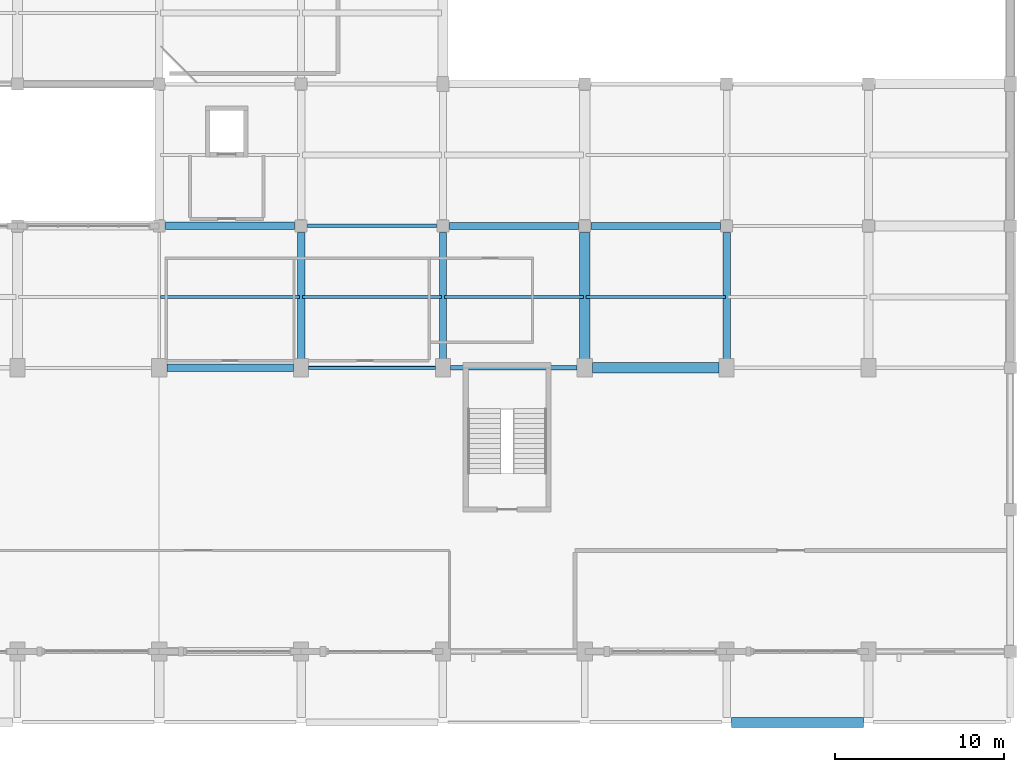
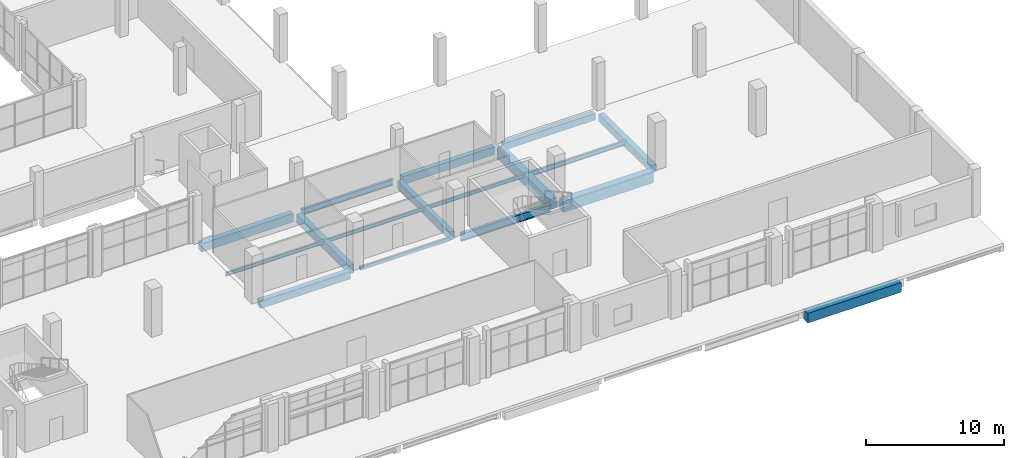
# One storey, part 36 of 59: 17 beams.
"""IFC4 building model written with IfcOpenShell, lengths in metres."""

import ifcopenshell
import ifcopenshell.guid

model = None  # the IFC model being written
_history = None  # IfcOwnerHistory: only IFC2X3 demands one
_inside = {}  # id of a spatial element -> (the spatial element, [elements in it])
_under = {}  # id of a project, library or spatial element -> (it, [spatial elements below it])
_declared = {}  # id of a project -> (the project, [libraries it declares])
_typed = {}  # id of a type object -> (the type object, [elements of that type])
_made_of = {}  # id of a material, layer set ... -> (it, [elements and type objects made of it])


def new_model(schema):
    """Start an empty IFC model of exactly this schema.

    Asked for "IFC4X3", IfcOpenShell would pick the latest addendum, in which some entities
    have other attributes; the version numbers below select the first issue.
    IFC2X3 requires an IfcOwnerHistory on every rooted entity: one is made here for all.
    """
    global model, _history
    if schema == "IFC4X3":
        model = ifcopenshell.file(schema_version=(4, 3, 0, 0))
    else:
        model = ifcopenshell.file(schema=schema)
    _inside.clear()
    _under.clear()
    _declared.clear()
    _typed.clear()
    _made_of.clear()
    _history = None
    if model.schema == "IFC2X3":
        org = make("IfcOrganization", Name="unknown")
        user = make(
            "IfcPersonAndOrganization",
            ThePerson=make("IfcPerson", FamilyName="unknown"),
            TheOrganization=org,
        )
        app = make(
            "IfcApplication",
            ApplicationDeveloper=org,
            Version="unknown",
            ApplicationFullName="unknown",
            ApplicationIdentifier="unknown",
        )
        _history = make(
            "IfcOwnerHistory",
            OwningUser=user,
            OwningApplication=app,
            ChangeAction="ADDED",
            CreationDate=0,
        )
    return model


def make(cls, **values):
    """One entity of the class cls with the attributes given. An attribute that is None is left unset."""
    return model.create_entity(
        cls, **{name: value for name, value in values.items() if value is not None}
    )


def rooted(cls, **values):
    """An entity with a GlobalId (a new one), such as an element, a storey or a relation."""
    return make(cls, GlobalId=ifcopenshell.guid.new(), OwnerHistory=_history, **values)


def si_unit(unit_type, name, prefix=None):
    """IfcSIUnit, for example si_unit("LENGTHUNIT", "METRE", prefix="MILLI")."""
    return make("IfcSIUnit", UnitType=unit_type, Prefix=prefix, Name=name)


def derived_unit(unit_type, elements):
    """IfcDerivedUnit: a product of units, each with its exponent."""
    return make(
        "IfcDerivedUnit",
        Elements=[
            make("IfcDerivedUnitElement", Unit=unit, Exponent=power)
            for unit, power in elements
        ],
        UnitType=unit_type,
    )


def assignment(units):
    """IfcUnitAssignment: the units of a project."""
    return None if units is None else make("IfcUnitAssignment", Units=units)


def point(xyz):
    """IfcCartesianPoint."""
    return None if xyz is None else make("IfcCartesianPoint", Coordinates=xyz)


def direction(xyz):
    """IfcDirection."""
    return None if xyz is None else make("IfcDirection", DirectionRatios=xyz)


def frame(location, z_axis=None, x_axis=None):
    """IfcAxis2Placement3D, a coordinate frame: its origin and axes. An axis left out is left unset."""
    return make(
        "IfcAxis2Placement3D",
        Location=point(location),
        Axis=direction(z_axis),
        RefDirection=direction(x_axis),
    )


def frame_2d(location, x_axis=None):
    """IfcAxis2Placement2D, a coordinate frame in the plane: its origin and x axis."""
    return make(
        "IfcAxis2Placement2D", Location=point(location), RefDirection=direction(x_axis)
    )


def origin():
    """The frame at (0, 0, 0) with its axes left unset."""
    return frame((0.0, 0.0, 0.0))


def origin_2d():
    """The frame at (0, 0) in the plane with its x axis left unset."""
    return frame_2d((0.0, 0.0))


def place(relative_to, where):
    """IfcLocalPlacement: puts the frame where relative to a parent placement (None: the world)."""
    return make(
        "IfcLocalPlacement", PlacementRelTo=relative_to, RelativePlacement=where
    )


def context(
    kind, dimensions, precision=None, world=None, true_north=None, identifier=None
):
    """IfcGeometricRepresentationContext, for example the 3D "Model" context."""
    return make(
        "IfcGeometricRepresentationContext",
        ContextIdentifier=identifier,
        ContextType=kind,
        CoordinateSpaceDimension=dimensions,
        Precision=precision,
        WorldCoordinateSystem=world,
        TrueNorth=true_north,
    )


def subcontext(parent, identifier, kind, view, scale=None):
    """IfcGeometricRepresentationSubContext, for example "Body" below "Model"."""
    return make(
        "IfcGeometricRepresentationSubContext",
        ContextIdentifier=identifier,
        ContextType=kind,
        ParentContext=parent,
        TargetScale=scale,
        TargetView=view,
    )


def project(units=None, contexts=None):
    """IfcProject with its units and contexts."""
    return rooted(
        "IfcProject",
        Name="project",
        RepresentationContexts=contexts,
        UnitsInContext=assignment(units),
    )


def spatial(cls, under=None, at=None, **own):
    """A site, building, storey or space (cls), placed at a placement, below another one or the project."""
    s = rooted(cls, ObjectPlacement=at, **own)
    if under is not None:
        _under.setdefault(under.id(), (under, []))[1].append(s)
    return s


def profile(cls, at=None, kind="AREA", **sizes):
    """A parametric profile (cls). Its sizes go by their IFC names, for example OverallWidth=200.0."""
    return make(cls, ProfileType=kind, Position=at, **sizes)


def rectangle(**sizes):
    """IfcRectangleProfileDef."""
    return profile("IfcRectangleProfileDef", **sizes)


def hollow_rectangle(**sizes):
    """IfcRectangleHollowProfileDef."""
    return profile("IfcRectangleHollowProfileDef", **sizes)


def i_section(**sizes):
    """IfcIShapeProfileDef."""
    return profile("IfcIShapeProfileDef", **sizes)


def extrude(swept, where, along, depth):
    """IfcExtrudedAreaSolid: the profile swept, set in the frame where, extruded along a direction by depth."""
    return make(
        "IfcExtrudedAreaSolid",
        SweptArea=swept,
        Position=where,
        ExtrudedDirection=direction(along),
        Depth=depth,
    )


def shape(context_of_items, identifier, shape_type, items):
    """IfcShapeRepresentation: the items that make up one representation, for example the "Body"."""
    return make(
        "IfcShapeRepresentation",
        ContextOfItems=context_of_items,
        RepresentationIdentifier=identifier,
        RepresentationType=shape_type,
        Items=items,
    )


def material(Name=None, Category=None):
    """IfcMaterial."""
    return make("IfcMaterial", Name=Name, Category=Category)


def material_profile(
    of_material, cross_section, Name=None, Category=None, Priority=None
):
    """IfcMaterialProfile: a cross section and its material."""
    return make(
        "IfcMaterialProfile",
        Name=Name,
        Material=of_material,
        Profile=cross_section,
        Priority=Priority,
        Category=Category,
    )


def profile_set(profiles, Name=None, composite=None):
    """IfcMaterialProfileSet."""
    return make(
        "IfcMaterialProfileSet",
        Name=Name,
        MaterialProfiles=profiles,
        CompositeProfile=composite,
    )


def made_of(thing, what):
    """Note that an element or type object is made of a material, layer set ...; save() writes the relation."""
    if what is not None:
        _made_of.setdefault(what.id(), (what, []))[1].append(thing)
    return thing


def type_object(cls, material=None, **own):
    """A type object (cls), such as IfcWallType, which elements share."""
    return made_of(rooted(cls, **own), material)


def element(
    cls,
    number,
    at=None,
    inside=None,
    cuts=None,
    type_object=None,
    material=None,
    context=None,
    identifier="Body",
    shape_type=None,
    held_by="IfcProductDefinitionShape",
    body=None,
    shapes=None,
    **own,
):
    """One element of the class cls, such as IfcWall. Its Tag is "e" and its number.

    at: its placement. inside: the storey or other place that contains it. cuts: it is an
    opening in that element (IfcRelVoidsElement). A single representation is given by context,
    identifier, shape_type and body (its items); several are given by shapes. held_by: the class
    of the entity that holds the representations. save() writes the other relations.
    """
    e = rooted(cls, Tag="e%d" % number, ObjectPlacement=at, **own)
    if body is not None:
        shapes = [shape(context, identifier, shape_type, body)]
    if shapes is not None:
        e.Representation = make(held_by, Representations=shapes)
    if inside is not None:
        _inside.setdefault(inside.id(), (inside, []))[1].append(e)
    if cuts is not None:
        rooted(
            "IfcRelVoidsElement", RelatingBuildingElement=cuts, RelatedOpeningElement=e
        )
    if type_object is not None:
        _typed.setdefault(type_object.id(), (type_object, []))[1].append(e)
    return made_of(e, material)


def aggregate(whole, parts):
    """IfcRelAggregates: a whole, such as a stair, and the parts it consists of."""
    return rooted("IfcRelAggregates", RelatingObject=whole, RelatedObjects=parts)


def save(model, path):
    """Write the relations noted so far, then the file.

    IfcRelAggregates (storeys below a building ...), IfcRelContainedInSpatialStructure (elements
    in a storey), IfcRelDefinesByType, IfcRelAssociatesMaterial and IfcRelDeclares: one each for
    every whole, place, type object, material and project.
    """
    for whole, parts in _under.values():
        aggregate(whole, parts)
    for where, things in _inside.values():
        rooted(
            "IfcRelContainedInSpatialStructure",
            RelatedElements=things,
            RelatingStructure=where,
        )
    for kind, things in _typed.values():
        rooted("IfcRelDefinesByType", RelatedObjects=things, RelatingType=kind)
    for what, things in _made_of.values():
        rooted("IfcRelAssociatesMaterial", RelatedObjects=things, RelatingMaterial=what)
    for by, libraries in _declared.values():
        rooted("IfcRelDeclares", RelatingContext=by, RelatedDefinitions=libraries)
    model.write(path)


model = new_model("IFC4")

# Units and contexts
model_context = context("Model", 3, precision=1e-05, world=origin(), true_north=direction((0.0, 1.0)))
body_context = subcontext(model_context, "Body", "Model", "MODEL_VIEW")
ifc_project = project(units=[si_unit("LENGTHUNIT", "METRE"), si_unit("AREAUNIT", "SQUARE_METRE"), si_unit("VOLUMEUNIT", "CUBIC_METRE"), si_unit("PLANEANGLEUNIT", "RADIAN"), si_unit("MASSUNIT", "GRAM", prefix="KILO"), derived_unit("THERMALTRANSMITTANCEUNIT", [(si_unit("POWERUNIT", "WATT"), 1), (si_unit("LENGTHUNIT", "METRE"), -2), (si_unit("THERMODYNAMICTEMPERATUREUNIT", "KELVIN"), -1)])], contexts=[model_context])

# Site, building, storey
site_placement = place(None, origin())
site = spatial("IfcSite", under=ifc_project, at=site_placement, CompositionType="ELEMENT")
building_placement = place(site_placement, origin())
building = spatial("IfcBuilding", under=site, at=building_placement, Name="Barrovel Congress Hotel", CompositionType="ELEMENT")
storey_placement = place(building_placement, frame((0.0, 0.0, 9.89990234375)))
storey = spatial("IfcBuildingStorey", under=building, at=storey_placement, Name="L02", CompositionType="ELEMENT", Elevation=9.89990234375)

# Beams
ifc_material_1 = material(Name="Concrete C40", Category="concrete")
ifc_material_profile_1 = material_profile(ifc_material_1, rectangle(XDim=0.39990234375, YDim=0.60009765625, at=origin_2d()), Name="RC400x600")
ifc_profile_set_1 = profile_set([ifc_material_profile_1], Name="Concrete C40")
beam_type_1 = type_object("IfcBeamType", Name="BM-RC400x600", PredefinedType="BEAM", material=ifc_profile_set_1)
beam_1_placement = place(storey_placement, frame((151.574951171875, 29.39990234375, -0.559814453125), z_axis=(1.0, 0.0, 0.0), x_axis=(0.0, 1.0, 0.0)))
element("IfcBeam", 1, at=beam_1_placement, inside=storey, type_object=beam_type_1, Name="BMX:L02:29.4:151.2-159.6", PredefinedType="BEAM", context=body_context, shape_type="SweptSolid", body=[
    extrude(rectangle(XDim=0.39990234375, YDim=0.60009765625, at=origin_2d()), origin(), (0.0, 0.0, 1.0), 7.650146484375),
])
ifc_material_profile_2 = material_profile(ifc_material_1, rectangle(XDim=0.39990234375, YDim=0.699951171875, at=origin_2d()), Name="RC400x700")
ifc_profile_set_2 = profile_set([ifc_material_profile_2], Name="Concrete C40")
beam_type_2 = type_object("IfcBeamType", Name="BM-RC400x700", PredefinedType="BEAM", material=ifc_profile_set_2)
beam_2_placement = place(storey_placement, frame((143.175048828125, 29.39990234375, -0.60986328125), z_axis=(1.0, 0.0, 0.0), x_axis=(0.0, 1.0, 0.0)))
element("IfcBeam", 2, at=beam_2_placement, inside=storey, type_object=beam_type_2, Name="BMX:L02:29.4:142.8-151.2", PredefinedType="BEAM", context=body_context, shape_type="SweptSolid", body=[
    extrude(rectangle(XDim=0.39990234375, YDim=0.699951171875, at=origin_2d()), origin(), (0.0, 0.0, 1.0), 7.64990234375),
])
beam_3_placement = place(storey_placement, frame((142.800048828125, 21.449951171875, -0.60986328125), z_axis=(0.0, 1.0, 0.0), x_axis=(-1.0, 0.0, 0.0)))
element("IfcBeam", 3, at=beam_3_placement, inside=storey, type_object=beam_type_2, Name="BMY:L02:142.8:21.0-29.4", PredefinedType="BEAM", context=body_context, shape_type="SweptSolid", body=[
    extrude(rectangle(XDim=0.39990234375, YDim=0.699951171875, at=origin_2d()), origin(), (0.0, 0.0, 1.0), 7.574951171875),
])
ifc_material_profile_3 = material_profile(ifc_material_1, rectangle(XDim=0.449951171875, YDim=0.64990234375, at=origin_2d()), Name="RC450x650")
ifc_profile_set_3 = profile_set([ifc_material_profile_3], Name="Concrete C40")
beam_type_3 = type_object("IfcBeamType", Name="BM-RC450x650", PredefinedType="BEAM", material=ifc_profile_set_3)
beam_4_placement = place(storey_placement, frame((126.449951171875, 21.0, -0.5849609375), z_axis=(1.0, 0.0, 0.0), x_axis=(0.0, 1.0, 0.0)))
element("IfcBeam", 4, at=beam_4_placement, inside=storey, type_object=beam_type_3, Name="BMX:L02:21.0:126.0-134.4", PredefinedType="BEAM", context=body_context, shape_type="SweptSolid", body=[
    extrude(rectangle(XDim=0.449951171875, YDim=0.64990234375, at=origin_2d()), origin(), (0.0, 0.0, 1.0), 7.5),
])
beam_5_placement = place(storey_placement, frame((159.60009765625, 21.449951171875, -0.5849609375), z_axis=(0.0, 1.0, 0.0), x_axis=(-1.0, 0.0, 0.0)))
element("IfcBeam", 5, at=beam_5_placement, inside=storey, type_object=beam_type_3, Name="BMY:L02:159.6:21.0-29.4", PredefinedType="BEAM", context=body_context, shape_type="SweptSolid", body=[
    extrude(rectangle(XDim=0.449951171875, YDim=0.64990234375, at=origin_2d()), origin(), (0.0, 0.0, 1.0), 7.574951171875),
])
ifc_material_profile_4 = material_profile(ifc_material_1, rectangle(XDim=0.449951171875, YDim=0.75, at=origin_2d()), Name="RC450x750")
ifc_profile_set_4 = profile_set([ifc_material_profile_4], Name="Concrete C40")
beam_type_4 = type_object("IfcBeamType", Name="BM-RC450x750", PredefinedType="BEAM", material=ifc_profile_set_4)
beam_6_placement = place(storey_placement, frame((126.375, 29.39990234375, -0.635009765625), z_axis=(1.0, 0.0, 0.0), x_axis=(0.0, 1.0, 0.0)))
element("IfcBeam", 6, at=beam_6_placement, inside=storey, type_object=beam_type_4, Name="BMX:L02:29.4:126.0-134.4", PredefinedType="BEAM", context=body_context, shape_type="SweptSolid", body=[
    extrude(rectangle(XDim=0.449951171875, YDim=0.75, at=origin_2d()), origin(), (0.0, 0.0, 1.0), 7.64990234375),
])
beam_7_placement = place(storey_placement, frame((134.39990234375, 21.449951171875, -0.635009765625), z_axis=(0.0, 1.0, 0.0), x_axis=(-1.0, 0.0, 0.0)))
element("IfcBeam", 7, at=beam_7_placement, inside=storey, type_object=beam_type_4, Name="BMY:L02:134.4:21.0-29.4", PredefinedType="BEAM", context=body_context, shape_type="SweptSolid", body=[
    extrude(rectangle(XDim=0.449951171875, YDim=0.75, at=origin_2d()), origin(), (0.0, 0.0, 1.0), 7.574951171875),
])
ifc_material_profile_5 = material_profile(ifc_material_1, rectangle(XDim=0.60009765625, YDim=0.85009765625, at=origin_2d()), Name="RC600x850")
ifc_profile_set_5 = profile_set([ifc_material_profile_5], Name="Concrete C40")
beam_type_5 = type_object("IfcBeamType", Name="BM-RC600x850", PredefinedType="BEAM", material=ifc_profile_set_5)
beam_8_placement = place(storey_placement, frame((159.89990234375, 0.0, -0.684814453125), z_axis=(1.0, 0.0, 0.0), x_axis=(0.0, 1.0, 0.0)))
element("IfcBeam", 8, at=beam_8_placement, inside=storey, type_object=beam_type_5, Name="BMX:L02:0.0:159.6-168.0", PredefinedType="BEAM", context=body_context, shape_type="SweptSolid", body=[
    extrude(rectangle(XDim=0.60009765625, YDim=0.85009765625, at=origin_2d()), origin(), (0.0, 0.0, 1.0), 7.800048828125),
])
ifc_material_profile_6 = material_profile(ifc_material_1, rectangle(XDim=0.60009765625, YDim=0.949951171875, at=origin_2d()), Name="RC600x950")
ifc_profile_set_6 = profile_set([ifc_material_profile_6], Name="Concrete C40")
beam_type_6 = type_object("IfcBeamType", Name="BM-RC600x950", PredefinedType="BEAM", material=ifc_profile_set_6)
beam_9_placement = place(storey_placement, frame((151.64990234375, 21.0, -0.73486328125), z_axis=(1.0, 0.0, 0.0), x_axis=(0.0, 1.0, 0.0)))
element("IfcBeam", 9, at=beam_9_placement, inside=storey, type_object=beam_type_6, Name="BMX:L02:21.0:151.2-159.6", PredefinedType="BEAM", context=body_context, shape_type="SweptSolid", body=[
    extrude(rectangle(XDim=0.60009765625, YDim=0.949951171875, at=origin_2d()), origin(), (0.0, 0.0, 1.0), 7.5),
])
beam_10_placement = place(storey_placement, frame((151.199951171875, 21.449951171875, -0.73486328125), z_axis=(0.0, 1.0, 0.0), x_axis=(-1.0, 0.0, 0.0)))
element("IfcBeam", 10, at=beam_10_placement, inside=storey, type_object=beam_type_6, Name="BMY:L02:151.2:21.0-29.4", PredefinedType="BEAM", context=body_context, shape_type="SweptSolid", body=[
    extrude(rectangle(XDim=0.60009765625, YDim=0.949951171875, at=origin_2d()), origin(), (0.0, 0.0, 1.0), 7.574951171875),
])
ifc_material_2 = material(Name="Steel ASTM A500 Grade C", Category="steel")
ifc_material_profile_7 = material_profile(ifc_material_2, hollow_rectangle(XDim=0.203125, YDim=0.3046875, WallThickness=0.01171875, InnerFilletRadius=0.01171875, OuterFilletRadius=0.023681640625, at=origin_2d()), Name="HSS305x203x12.7")
ifc_profile_set_7 = profile_set([ifc_material_profile_7], Name="Steel ASTM A500 Grade C")
beam_type_7 = type_object("IfcBeamType", Name="SBM-HSS305x203x12.7", PredefinedType="SPANDREL", material=ifc_profile_set_7)
beam_11_placement = place(storey_placement, frame((134.85009765625, 21.0, -0.412353515625), z_axis=(1.0, 0.0, 0.0), x_axis=(0.0, 1.0, 0.0)))
element("IfcBeam", 11, at=beam_11_placement, inside=storey, type_object=beam_type_7, Name="BMX:L02:21.0:134.4-142.8", PredefinedType="SPANDREL", context=body_context, shape_type="SweptSolid", body=[
    extrude(hollow_rectangle(XDim=0.203125, YDim=0.3046875, WallThickness=0.01171875, InnerFilletRadius=0.01171875, OuterFilletRadius=0.023681640625, at=origin_2d()), origin(), (0.0, 0.0, 1.0), 7.5),
])
ifc_material_3 = material(Name="Steel ASTM A992 Grade 50", Category="steel")
ifc_material_profile_8 = material_profile(ifc_material_3, i_section(OverallWidth=0.1650390625, OverallDepth=0.31005859375, WebThickness=0.005859375, FlangeThickness=0.009765625, FilletRadius=0.010986328125, at=origin_2d()), Name="W310x39")
ifc_profile_set_8 = profile_set([ifc_material_profile_8], Name="Steel ASTM A992 Grade 50")
beam_type_8 = type_object("IfcBeamType", Name="SBM-W310x39", PredefinedType="JOIST", material=ifc_profile_set_8)
beam_12_placement = place(storey_placement, frame((134.47998046875, 25.199951171875, -0.414794921875), z_axis=(1.0, 0.0, 0.0), x_axis=(0.0, 1.0, 0.0)))
element("IfcBeam", 12, at=beam_12_placement, inside=storey, type_object=beam_type_8, Name="JST:L02:134.4:25.2", PredefinedType="JOIST", context=body_context, shape_type="SweptSolid", body=[
    extrude(i_section(OverallWidth=0.1650390625, OverallDepth=0.31005859375, WebThickness=0.005859375, FlangeThickness=0.009765625, FilletRadius=0.010986328125, at=origin_2d()), origin(), (0.0, 0.0, 1.0), 8.239990234375),
])
beam_13_placement = place(storey_placement, frame((142.8798828125, 25.199951171875, -0.414794921875), z_axis=(1.0, 0.0, 0.0), x_axis=(0.0, 1.0, 0.0)))
element("IfcBeam", 13, at=beam_13_placement, inside=storey, type_object=beam_type_8, Name="JST:L02:142.8:25.2", PredefinedType="JOIST", context=body_context, shape_type="SweptSolid", body=[
    extrude(i_section(OverallWidth=0.1650390625, OverallDepth=0.31005859375, WebThickness=0.005859375, FlangeThickness=0.009765625, FilletRadius=0.010986328125, at=origin_2d()), origin(), (0.0, 0.0, 1.0), 8.240234375),
])
ifc_material_profile_9 = material_profile(ifc_material_3, i_section(OverallWidth=0.1669921875, OverallDepth=0.31689453125, WebThickness=0.007568359375, FlangeThickness=0.01318359375, FilletRadius=0.010986328125, at=origin_2d()), Name="W310x52")
ifc_profile_set_9 = profile_set([ifc_material_profile_9], Name="Steel ASTM A992 Grade 50")
beam_type_9 = type_object("IfcBeamType", Name="SBM-W310x52", PredefinedType="JOIST", material=ifc_profile_set_9)
beam_14_placement = place(storey_placement, frame((126.080078125, 25.199951171875, -0.41845703125), z_axis=(1.0, 0.0, 0.0), x_axis=(0.0, 1.0, 0.0)))
element("IfcBeam", 14, at=beam_14_placement, inside=storey, type_object=beam_type_9, Name="JST:L02:126.0:25.2", PredefinedType="JOIST", context=body_context, shape_type="SweptSolid", body=[
    extrude(i_section(OverallWidth=0.1669921875, OverallDepth=0.31689453125, WebThickness=0.007568359375, FlangeThickness=0.01318359375, FilletRadius=0.010986328125, at=origin_2d()), origin(), (0.0, 0.0, 1.0), 8.239990234375),
])
ifc_material_profile_10 = material_profile(ifc_material_3, i_section(OverallWidth=0.177001953125, OverallDepth=0.403076171875, WebThickness=0.007568359375, FlangeThickness=0.010986328125, FilletRadius=0.011962890625, at=origin_2d()), Name="W410x53")
ifc_profile_set_10 = profile_set([ifc_material_profile_10], Name="Steel ASTM A992 Grade 50")
beam_type_10 = type_object("IfcBeamType", Name="SBM-W410x53", PredefinedType="JOIST", material=ifc_profile_set_10)
beam_15_placement = place(storey_placement, frame((151.280029296875, 25.199951171875, -0.46142578125), z_axis=(1.0, 0.0, 0.0), x_axis=(0.0, 1.0, 0.0)))
element("IfcBeam", 15, at=beam_15_placement, inside=storey, type_object=beam_type_10, Name="JST:L02:151.2:25.2", PredefinedType="JOIST", context=body_context, shape_type="SweptSolid", body=[
    extrude(i_section(OverallWidth=0.177001953125, OverallDepth=0.403076171875, WebThickness=0.007568359375, FlangeThickness=0.010986328125, FilletRadius=0.011962890625, at=origin_2d()), origin(), (0.0, 0.0, 1.0), 8.239990234375),
])
ifc_material_profile_11 = material_profile(ifc_material_3, i_section(OverallWidth=0.208984375, OverallDepth=0.529052734375, WebThickness=0.009765625, FlangeThickness=0.013671875, FilletRadius=0.013916015625, at=origin_2d()), Name="W530x74")
ifc_profile_set_11 = profile_set([ifc_material_profile_11], Name="Steel ASTM A992 Grade 50")
beam_type_11 = type_object("IfcBeamType", Name="SBM-W530x74", PredefinedType="BEAM", material=ifc_profile_set_11)
beam_16_placement = place(storey_placement, frame((134.77490234375, 29.39990234375, -0.5244140625), z_axis=(1.0, 0.0, 0.0), x_axis=(0.0, 1.0, 0.0)))
element("IfcBeam", 16, at=beam_16_placement, inside=storey, type_object=beam_type_11, Name="BMX:L02:29.4:134.4-142.8", PredefinedType="BEAM", context=body_context, shape_type="SweptSolid", body=[
    extrude(i_section(OverallWidth=0.208984375, OverallDepth=0.529052734375, WebThickness=0.009765625, FlangeThickness=0.013671875, FilletRadius=0.013916015625, at=origin_2d()), origin(), (0.0, 0.0, 1.0), 7.650146484375),
])
ifc_material_profile_12 = material_profile(ifc_material_3, i_section(OverallWidth=0.25390625, OverallDepth=0.68408203125, WebThickness=0.012451171875, FlangeThickness=0.01904296875, FilletRadius=0.014892578125, at=origin_2d()), Name="W690x140")
ifc_profile_set_12 = profile_set([ifc_material_profile_12], Name="Steel ASTM A992 Grade 50")
beam_type_12 = type_object("IfcBeamType", Name="SBM-W690x140", PredefinedType="BEAM", material=ifc_profile_set_12)
beam_17_placement = place(storey_placement, frame((143.25, 21.0, -0.601806640625), z_axis=(1.0, 0.0, 0.0), x_axis=(0.0, 1.0, 0.0)))
element("IfcBeam", 17, at=beam_17_placement, inside=storey, type_object=beam_type_12, Name="BMX:L02:21.0:142.8-151.2", PredefinedType="BEAM", context=body_context, shape_type="SweptSolid", body=[
    extrude(i_section(OverallWidth=0.25390625, OverallDepth=0.68408203125, WebThickness=0.012451171875, FlangeThickness=0.01904296875, FilletRadius=0.014892578125, at=origin_2d()), origin(), (0.0, 0.0, 1.0), 7.5),
])

save(model, "model.ifc")
